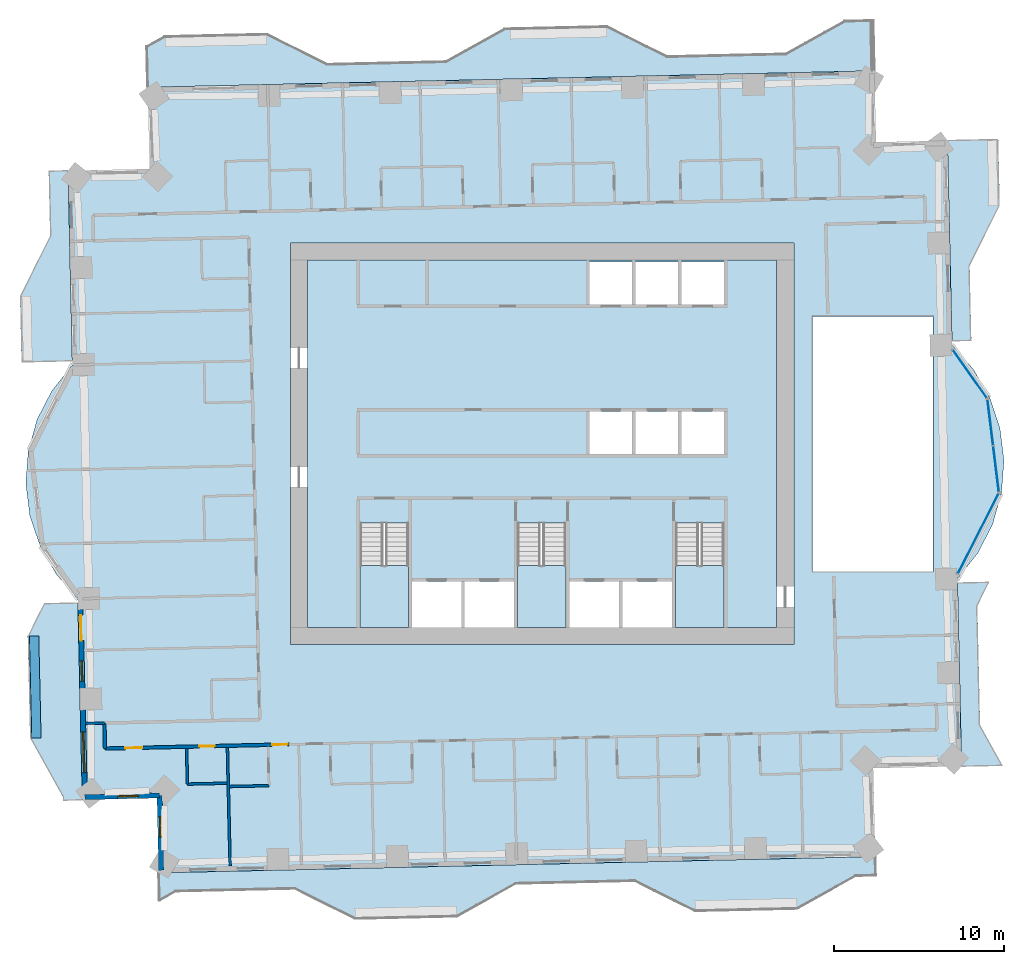
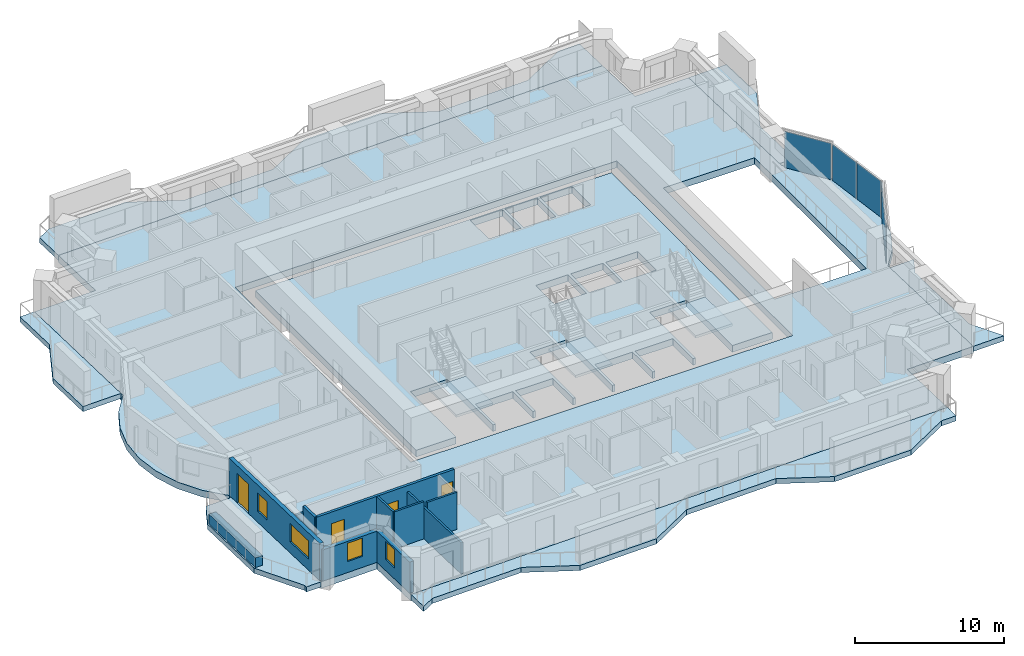
# One storey, part 5 of 16: 11 slabs, 11 walls, 4 doors, 4 plates, 4 windows, 8 openings, 6 elements without a shape of their own.
"""IFC4 building model written with IfcOpenShell, lengths in metres."""

import ifcopenshell
import ifcopenshell.guid

model = None  # the IFC model being written
_history = None  # IfcOwnerHistory: only IFC2X3 demands one
_inside = {}  # id of a spatial element -> (the spatial element, [elements in it])
_under = {}  # id of a project, library or spatial element -> (it, [spatial elements below it])
_declared = {}  # id of a project -> (the project, [libraries it declares])
_typed = {}  # id of a type object -> (the type object, [elements of that type])
_made_of = {}  # id of a material, layer set ... -> (it, [elements and type objects made of it])


def new_model(schema):
    """Start an empty IFC model of exactly this schema.

    Asked for "IFC4X3", IfcOpenShell would pick the latest addendum, in which some entities
    have other attributes; the version numbers below select the first issue.
    IFC2X3 requires an IfcOwnerHistory on every rooted entity: one is made here for all.
    """
    global model, _history
    if schema == "IFC4X3":
        model = ifcopenshell.file(schema_version=(4, 3, 0, 0))
    else:
        model = ifcopenshell.file(schema=schema)
    _inside.clear()
    _under.clear()
    _declared.clear()
    _typed.clear()
    _made_of.clear()
    _history = None
    if model.schema == "IFC2X3":
        org = make("IfcOrganization", Name="unknown")
        user = make(
            "IfcPersonAndOrganization",
            ThePerson=make("IfcPerson", FamilyName="unknown"),
            TheOrganization=org,
        )
        app = make(
            "IfcApplication",
            ApplicationDeveloper=org,
            Version="unknown",
            ApplicationFullName="unknown",
            ApplicationIdentifier="unknown",
        )
        _history = make(
            "IfcOwnerHistory",
            OwningUser=user,
            OwningApplication=app,
            ChangeAction="ADDED",
            CreationDate=0,
        )
    return model


def make(cls, **values):
    """One entity of the class cls with the attributes given. An attribute that is None is left unset."""
    return model.create_entity(
        cls, **{name: value for name, value in values.items() if value is not None}
    )


def rooted(cls, **values):
    """An entity with a GlobalId (a new one), such as an element, a storey or a relation."""
    return make(cls, GlobalId=ifcopenshell.guid.new(), OwnerHistory=_history, **values)


def si_unit(unit_type, name, prefix=None):
    """IfcSIUnit, for example si_unit("LENGTHUNIT", "METRE", prefix="MILLI")."""
    return make("IfcSIUnit", UnitType=unit_type, Prefix=prefix, Name=name)


def assignment(units):
    """IfcUnitAssignment: the units of a project."""
    return None if units is None else make("IfcUnitAssignment", Units=units)


def point(xyz):
    """IfcCartesianPoint."""
    return None if xyz is None else make("IfcCartesianPoint", Coordinates=xyz)


def direction(xyz):
    """IfcDirection."""
    return None if xyz is None else make("IfcDirection", DirectionRatios=xyz)


def frame(location, z_axis=None, x_axis=None):
    """IfcAxis2Placement3D, a coordinate frame: its origin and axes. An axis left out is left unset."""
    return make(
        "IfcAxis2Placement3D",
        Location=point(location),
        Axis=direction(z_axis),
        RefDirection=direction(x_axis),
    )


def frame_2d(location, x_axis=None):
    """IfcAxis2Placement2D, a coordinate frame in the plane: its origin and x axis."""
    return make(
        "IfcAxis2Placement2D", Location=point(location), RefDirection=direction(x_axis)
    )


def origin():
    """The frame at (0, 0, 0) with its axes left unset."""
    return frame((0.0, 0.0, 0.0))


def origin_2d():
    """The frame at (0, 0) in the plane with its x axis left unset."""
    return frame_2d((0.0, 0.0))


def place(relative_to, where):
    """IfcLocalPlacement: puts the frame where relative to a parent placement (None: the world)."""
    return make(
        "IfcLocalPlacement", PlacementRelTo=relative_to, RelativePlacement=where
    )


def context(
    kind, dimensions, precision=None, world=None, true_north=None, identifier=None
):
    """IfcGeometricRepresentationContext, for example the 3D "Model" context."""
    return make(
        "IfcGeometricRepresentationContext",
        ContextIdentifier=identifier,
        ContextType=kind,
        CoordinateSpaceDimension=dimensions,
        Precision=precision,
        WorldCoordinateSystem=world,
        TrueNorth=true_north,
    )


def subcontext(parent, identifier, kind, view, scale=None):
    """IfcGeometricRepresentationSubContext, for example "Body" below "Model"."""
    return make(
        "IfcGeometricRepresentationSubContext",
        ContextIdentifier=identifier,
        ContextType=kind,
        ParentContext=parent,
        TargetScale=scale,
        TargetView=view,
    )


def project(units=None, contexts=None):
    """IfcProject with its units and contexts."""
    return rooted(
        "IfcProject",
        Name="project",
        RepresentationContexts=contexts,
        UnitsInContext=assignment(units),
    )


def spatial(cls, under=None, at=None, **own):
    """A site, building, storey or space (cls), placed at a placement, below another one or the project."""
    s = rooted(cls, ObjectPlacement=at, **own)
    if under is not None:
        _under.setdefault(under.id(), (under, []))[1].append(s)
    return s


def polyline(points):
    """IfcPolyline through the points."""
    return make("IfcPolyline", Points=[point(p) for p in points])


def profile(cls, at=None, kind="AREA", **sizes):
    """A parametric profile (cls). Its sizes go by their IFC names, for example OverallWidth=200.0."""
    return make(cls, ProfileType=kind, Position=at, **sizes)


def rectangle(**sizes):
    """IfcRectangleProfileDef."""
    return profile("IfcRectangleProfileDef", **sizes)


def outline(outer, holes=None, kind="AREA"):
    """IfcArbitraryClosedProfileDef: a profile drawn as a closed curve; with holes, ...WithVoids."""
    if holes is None:
        return make("IfcArbitraryClosedProfileDef", ProfileType=kind, OuterCurve=outer)
    return make(
        "IfcArbitraryProfileDefWithVoids",
        ProfileType=kind,
        OuterCurve=outer,
        InnerCurves=holes,
    )


def extrude(swept, where, along, depth):
    """IfcExtrudedAreaSolid: the profile swept, set in the frame where, extruded along a direction by depth."""
    return make(
        "IfcExtrudedAreaSolid",
        SweptArea=swept,
        Position=where,
        ExtrudedDirection=direction(along),
        Depth=depth,
    )


def shape(context_of_items, identifier, shape_type, items):
    """IfcShapeRepresentation: the items that make up one representation, for example the "Body"."""
    return make(
        "IfcShapeRepresentation",
        ContextOfItems=context_of_items,
        RepresentationIdentifier=identifier,
        RepresentationType=shape_type,
        Items=items,
    )


def material(Name=None, Category=None):
    """IfcMaterial."""
    return make("IfcMaterial", Name=Name, Category=Category)


def layer(
    of_material, thickness, ventilated=None, Name=None, Category=None, Priority=None
):
    """IfcMaterialLayer: one layer of a wall or slab, of a material (None: an air gap)."""
    return make(
        "IfcMaterialLayer",
        Material=of_material,
        LayerThickness=thickness,
        IsVentilated=ventilated,
        Name=Name,
        Category=Category,
        Priority=Priority,
    )


def layer_set(layers, Name=None):
    """IfcMaterialLayerSet."""
    return make("IfcMaterialLayerSet", MaterialLayers=layers, LayerSetName=Name)


def made_of(thing, what):
    """Note that an element or type object is made of a material, layer set ...; save() writes the relation."""
    if what is not None:
        _made_of.setdefault(what.id(), (what, []))[1].append(thing)
    return thing


def type_object(cls, material=None, **own):
    """A type object (cls), such as IfcWallType, which elements share."""
    return made_of(rooted(cls, **own), material)


def element(
    cls,
    number,
    at=None,
    inside=None,
    cuts=None,
    type_object=None,
    material=None,
    context=None,
    identifier="Body",
    shape_type=None,
    held_by="IfcProductDefinitionShape",
    body=None,
    shapes=None,
    **own,
):
    """One element of the class cls, such as IfcWall. Its Tag is "e" and its number.

    at: its placement. inside: the storey or other place that contains it. cuts: it is an
    opening in that element (IfcRelVoidsElement). A single representation is given by context,
    identifier, shape_type and body (its items); several are given by shapes. held_by: the class
    of the entity that holds the representations. save() writes the other relations.
    """
    e = rooted(cls, Tag="e%d" % number, ObjectPlacement=at, **own)
    if body is not None:
        shapes = [shape(context, identifier, shape_type, body)]
    if shapes is not None:
        e.Representation = make(held_by, Representations=shapes)
    if inside is not None:
        _inside.setdefault(inside.id(), (inside, []))[1].append(e)
    if cuts is not None:
        rooted(
            "IfcRelVoidsElement", RelatingBuildingElement=cuts, RelatedOpeningElement=e
        )
    if type_object is not None:
        _typed.setdefault(type_object.id(), (type_object, []))[1].append(e)
    return made_of(e, material)


def fill(opening, filler):
    """IfcRelFillsElement: the door or window that sits in an opening."""
    return rooted(
        "IfcRelFillsElement",
        RelatingOpeningElement=opening,
        RelatedBuildingElement=filler,
    )


def aggregate(whole, parts):
    """IfcRelAggregates: a whole, such as a stair, and the parts it consists of."""
    return rooted("IfcRelAggregates", RelatingObject=whole, RelatedObjects=parts)


def save(model, path):
    """Write the relations noted so far, then the file.

    IfcRelAggregates (storeys below a building ...), IfcRelContainedInSpatialStructure (elements
    in a storey), IfcRelDefinesByType, IfcRelAssociatesMaterial and IfcRelDeclares: one each for
    every whole, place, type object, material and project.
    """
    for whole, parts in _under.values():
        aggregate(whole, parts)
    for where, things in _inside.values():
        rooted(
            "IfcRelContainedInSpatialStructure",
            RelatedElements=things,
            RelatingStructure=where,
        )
    for kind, things in _typed.values():
        rooted("IfcRelDefinesByType", RelatedObjects=things, RelatingType=kind)
    for what, things in _made_of.values():
        rooted("IfcRelAssociatesMaterial", RelatedObjects=things, RelatingMaterial=what)
    for by, libraries in _declared.values():
        rooted("IfcRelDeclares", RelatingContext=by, RelatedDefinitions=libraries)
    model.write(path)


model = new_model("IFC4")

# Units and contexts
model_context = context("Model", 3, precision=1e-05, world=origin(), true_north=direction((0.0, 1.0)))
body_context = subcontext(model_context, "Body", "Model", "MODEL_VIEW")
ifc_project = project(units=[si_unit("LENGTHUNIT", "METRE"), si_unit("AREAUNIT", "SQUARE_METRE"), si_unit("VOLUMEUNIT", "CUBIC_METRE"), si_unit("PLANEANGLEUNIT", "RADIAN"), si_unit("MASSUNIT", "GRAM", prefix="KILO")], contexts=[model_context])

# Site, building, storey
site_placement = place(None, origin())
site = spatial("IfcSite", under=ifc_project, at=site_placement, CompositionType="ELEMENT")
building_placement = place(site_placement, origin())
building = spatial("IfcBuilding", under=site, at=building_placement, Name="Mangrove Gate Tower", CompositionType="ELEMENT")
storey_placement = place(building_placement, frame((0.0, 0.0, 137.300048828125)))
storey = spatial("IfcBuildingStorey", under=building, at=storey_placement, Name="L34", CompositionType="ELEMENT", Elevation=137.300048828125)

# Curtain wall, plate
ifc_material_1 = material(Name="Aluminium and glass curtain wall", Category="aluminium")
curtain_wall_type = type_object("IfcCurtainWallType", Name="Atrium garden-court glazing wall", PredefinedType="NOTDEFINED", material=ifc_material_1)
curtain_wall_1_placement = place(storey_placement, origin())
curtain_wall_1 = element("IfcCurtainWall", 1, at=curtain_wall_1_placement, inside=storey, type_object=curtain_wall_type, Name="Atrium garden-court glazing E1f1", PredefinedType="NOTDEFINED")
ifc_material_2 = material(Name="Laminated low-e glass", Category="glass")
ifc_layer_1 = layer(ifc_material_2, 0.031982421875)
ifc_layer_set_1 = layer_set([ifc_layer_1], Name="Atrium garden-court glazing panel 32")
plate_type = type_object("IfcPlateType", Name="Atrium garden-court glazing panel 32", PredefinedType="CURTAIN_PANEL", material=ifc_layer_set_1)
plate_1_placement = place(storey_placement, frame((25.647216796875, -5.28466796875, 0.0), z_axis=(0.0, 0.0, 1.0), x_axis=(0.452614630938, 0.891706227331, 0.0)))
plate_1 = element("IfcPlate", 2, at=plate_1_placement, type_object=plate_type, Name="CWA panel 1.1", PredefinedType="CURTAIN_PANEL", context=body_context, shape_type="SweptSolid", body=[
    extrude(rectangle(XDim=5.258544921875, YDim=0.031982421875, at=origin_2d()), origin(), (0.0, 0.0, 1.0), 2.97998046875),
])
aggregate(curtain_wall_1, [plate_1])

# Curtain wall, plates
curtain_wall_2_placement = place(storey_placement, origin())
curtain_wall_2 = element("IfcCurtainWall", 3, at=curtain_wall_2_placement, inside=storey, type_object=curtain_wall_type, Name="Atrium garden-court glazing E1f2", PredefinedType="NOTDEFINED")
plate_2_placement = place(storey_placement, frame((26.696533203125, -1.4775390625, 0.0), z_axis=(0.0, 0.0, 1.0), x_axis=(-0.122172285885, 0.992508908051, 0.0)))
plate_2 = element("IfcPlate", 4, at=plate_2_placement, type_object=plate_type, Name="CWA panel 1.1", PredefinedType="CURTAIN_PANEL", context=body_context, shape_type="SweptSolid", body=[
    extrude(rectangle(XDim=2.681640625, YDim=0.031982421875, at=origin_2d()), origin(), (0.0, 0.0, 1.0), 2.97998046875),
])
plate_3_placement = place(storey_placement, frame((26.3603515625, 1.253662109375, 0.0), z_axis=(0.0, 0.0, 1.0), x_axis=(-0.122172285885, 0.992508908051, 0.0)))
plate_3 = element("IfcPlate", 5, at=plate_3_placement, type_object=plate_type, Name="CWA panel 2.1", PredefinedType="CURTAIN_PANEL", context=body_context, shape_type="SweptSolid", body=[
    extrude(rectangle(XDim=2.681640625, YDim=0.031982421875, at=origin_2d()), origin(), (0.0, 0.0, 1.0), 2.97998046875),
])
aggregate(curtain_wall_2, [plate_2, plate_3])

# Curtain wall, plate
curtain_wall_3_placement = place(storey_placement, origin())
curtain_wall_3 = element("IfcCurtainWall", 6, at=curtain_wall_3_placement, inside=storey, type_object=curtain_wall_type, Name="Atrium garden-court glazing E1f3", PredefinedType="NOTDEFINED")
plate_4_placement = place(storey_placement, frame((25.15625, 4.10986328125, 0.0), z_axis=(0.0, 0.0, 1.0), x_axis=(-0.578132252952, 0.815943072828, 0.0)))
plate_4 = element("IfcPlate", 7, at=plate_4_placement, type_object=plate_type, Name="CWA panel 1.1", PredefinedType="CURTAIN_PANEL", context=body_context, shape_type="SweptSolid", body=[
    extrude(rectangle(XDim=3.428955078125, YDim=0.031982421875, at=origin_2d()), origin(), (0.0, 0.0, 1.0), 2.97998046875),
])
aggregate(curtain_wall_3, [plate_4])

# Slabs
ifc_material_3 = material(Name="Porcelain tile")
ifc_layer_2 = layer(ifc_material_3, 0.02001953125, Name="Tile finish")
ifc_material_4 = material(Name="Cement sand screed")
ifc_layer_3 = layer(ifc_material_4, 0.0400390625, Name="Screed laid to falls")
ifc_material_5 = material(Name="Bituminous waterproofing membrane")
ifc_layer_4 = layer(ifc_material_5, 0.00390625, Name="Waterproofing")
ifc_material_6 = material(Name="Concrete C40/50", Category="concrete")
ifc_layer_5 = layer(ifc_material_6, 0.340087890625, Name="Balcony structural slab")
ifc_material_7 = material(Name="Limestone", Category="masonry")
ifc_layer_6 = layer(ifc_material_7, 0.01611328125, Name="Soffit lining")
ifc_layer_set_2 = layer_set([ifc_layer_2, ifc_layer_3, ifc_layer_4, ifc_layer_5, ifc_layer_6], Name="Balcony slab 420 C40/50")
slab_type_1 = type_object("IfcSlabType", Name="Balcony slab 420 C40/50", PredefinedType="FLOOR", material=ifc_layer_set_2)
slab_1_placement = place(storey_placement, frame((0.0, 0.0, -0.420166015625)))
element("IfcSlab", 8, at=slab_1_placement, inside=storey, type_object=slab_type_1, Name="BALCONY L34 E0", PredefinedType="FLOOR", context=body_context, shape_type="SweptSolid", body=[
    extrude(outline(polyline([(27.0791015625, -18.904052734375), (25.757080078125, -16.532958984375), (25.597900390625, -9.534912109375), (26.29296875, -8.14404296875), (24.427001953125, -8.18701171875), (24.4580078125, -9.56103515625), (24.616943359375, -16.55908203125), (24.6708984375, -18.9580078125), (27.0791015625, -18.904052734375)])), origin(), (0.0, 0.0, 1.0), 0.420166015625),
])
slab_2_placement = place(storey_placement, frame((0.0, 0.0, -0.420166015625)))
element("IfcSlab", 9, at=slab_2_placement, inside=storey, type_object=slab_type_1, Name="BALCONY L34 E1", PredefinedType="FLOOR", context=body_context, shape_type="SweptSolid", body=[
    extrude(outline(polyline([(25.242919921875, 6.0859375), (25.14404296875, 10.4599609375), (26.9140625, 14.0009765625), (26.825927734375, 17.89990234375), (23.8369140625, 17.83203125), (23.925048828125, 13.93310546875), (24.00390625, 10.43408203125), (24.10400390625, 6.06005859375), (25.242919921875, 6.0859375)])), origin(), (0.0, 0.0, 1.0), 0.420166015625),
])
slab_3_placement = place(storey_placement, frame((0.0, 0.0, -0.420166015625)))
element("IfcSlab", 10, at=slab_3_placement, inside=storey, type_object=slab_type_1, Name="BALCONY L34 N0", PredefinedType="FLOOR", context=body_context, shape_type="SweptSolid", body=[
    extrude(outline(polyline([(19.47509765625, 24.925048828125), (17.802978515625, 24.886962890625), (14.345947265625, 22.9580078125), (7.347900390625, 22.799072265625), (3.806884765625, 24.569091796875), (-2.19189453125, 24.43310546875), (-5.64892578125, 22.50390625), (-12.64697265625, 22.346923828125), (-16.18798828125, 24.115966796875), (-22.18701171875, 23.97998046875), (-23.24609375, 23.388916015625), (-23.19091796875, 20.966064453125), (19.5419921875, 21.93603515625), (19.47509765625, 24.925048828125)])), origin(), (0.0, 0.0, 1.0), 0.420166015625),
])
slab_4_placement = place(storey_placement, frame((0.0, 0.0, -0.420166015625)))
element("IfcSlab", 11, at=slab_4_placement, inside=storey, type_object=slab_type_1, Name="BALCONY L34 W0", PredefinedType="FLOOR", context=body_context, shape_type="SweptSolid", body=[
    extrude(outline(polyline([(-29.02001953125, 16.031982421875), (-28.93408203125, 12.23291015625), (-30.7041015625, 8.69189453125), (-30.615966796875, 4.819091796875), (-27.626953125, 4.886962890625), (-27.715087890625, 8.760009765625), (-27.7939453125, 12.259033203125), (-27.881103515625, 16.05810546875), (-29.02001953125, 16.031982421875)])), origin(), (0.0, 0.0, 1.0), 0.420166015625),
])
slab_5_placement = place(storey_placement, frame((0.0, 0.0, -0.420166015625)))
element("IfcSlab", 12, at=slab_5_placement, inside=storey, type_object=slab_type_1, Name="BALCONY L34 W1", PredefinedType="FLOOR", context=body_context, shape_type="SweptSolid", body=[
    extrude(outline(polyline([(-29.302001953125, -9.406005859375), (-30.25, -11.302001953125), (-30.114013671875, -17.301025390625), (-28.18505859375, -20.758056640625), (-28.180908203125, -20.9580078125), (-27.041015625, -20.931884765625), (-27.0458984375, -20.73193359375), (-27.125, -17.23291015625), (-27.260986328125, -11.235107421875), (-27.303955078125, -9.360107421875), (-29.302001953125, -9.406005859375)])), origin(), (0.0, 0.0, 1.0), 0.420166015625),
])
slab_6_placement = place(storey_placement, frame((0.0, 0.0, -0.420166015625)))
element("IfcSlab", 13, at=slab_6_placement, inside=storey, type_object=slab_type_1, Name="BALCONY L34 S0", PredefinedType="FLOOR", context=body_context, shape_type="SweptSolid", body=[
    extrude(outline(polyline([(-22.5048828125, -26.885009765625), (-21.544921875, -26.34912109375), (-14.547119140625, -26.18994140625), (-11.006103515625, -27.9599609375), (-5.007080078125, -27.823974609375), (-1.550048828125, -25.89501953125), (5.447998046875, -25.737060546875), (8.989013671875, -27.506103515625), (14.988037109375, -27.3701171875), (18.445068359375, -25.44091796875), (19.616943359375, -25.4150390625), (19.591064453125, -24.27490234375), (-22.5419921875, -25.23095703125), (-22.5048828125, -26.885009765625)])), origin(), (0.0, 0.0, 1.0), 0.420166015625),
])
ifc_material_8 = material(Name="Concrete C40/50", Category="concrete")
ifc_layer_7 = layer(ifc_material_8, 0.550048828125)
ifc_layer_set_3 = layer_set([ifc_layer_7], Name="Core floor slab 550 C40/50")
slab_type_2 = type_object("IfcSlabType", Name="Core floor slab 550 C40/50", PredefinedType="FLOOR", material=ifc_layer_set_3)
slab_7_placement = place(storey_placement, frame((0.0, 0.0, -0.550048828125)))
element("IfcSlab", 14, at=slab_7_placement, inside=storey, type_object=slab_type_2, Name="SLAB-L34-CORE-1", PredefinedType="FLOOR", context=body_context, shape_type="SweptSolid", body=[
    extrude(outline(polyline([(-13.800048828125, -10.800048828125), (-13.800048828125, 10.800048828125), (13.800048828125, 10.800048828125), (13.800048828125, -10.800048828125), (10.699951171875, -10.800048828125), (10.699951171875, -4.653076171875), (7.85009765625, -4.653076171875), (7.85009765625, -10.800048828125), (7.64990234375, -10.800048828125), (7.64990234375, -8.10009765625), (4.72509765625, -8.10009765625), (4.72509765625, -10.800048828125), (4.52490234375, -10.800048828125), (4.52490234375, -8.10009765625), (1.60009765625, -8.10009765625), (1.60009765625, -10.800048828125), (1.39990234375, -10.800048828125), (1.39990234375, -4.653076171875), (-1.449951171875, -4.653076171875), (-1.449951171875, -10.800048828125), (-1.64990234375, -10.800048828125), (-1.64990234375, -8.10009765625), (-4.550048828125, -8.10009765625), (-4.550048828125, -10.800048828125), (-4.75, -10.800048828125), (-4.75, -8.10009765625), (-7.64990234375, -8.10009765625), (-7.64990234375, -10.800048828125), (-7.85009765625, -10.800048828125), (-7.85009765625, -4.653076171875), (-10.699951171875, -4.653076171875), (-10.699951171875, -10.800048828125), (-13.800048828125, -10.800048828125)]), holes=[polyline([(5.300048828125, -0.60009765625), (5.300048828125, 1.89990234375), (2.800048828125, 1.89990234375), (2.800048828125, -0.60009765625), (5.300048828125, -0.60009765625)]), polyline([(5.300048828125, 10.699951171875), (2.800048828125, 10.699951171875), (2.800048828125, 8.199951171875), (5.300048828125, 8.199951171875), (5.300048828125, 10.699951171875)]), polyline([(8.0, -0.60009765625), (8.0, 1.89990234375), (5.5, 1.89990234375), (5.5, -0.60009765625), (8.0, -0.60009765625)]), polyline([(10.699951171875, -0.60009765625), (10.699951171875, 1.89990234375), (8.199951171875, 1.89990234375), (8.199951171875, -0.60009765625), (10.699951171875, -0.60009765625)]), polyline([(8.0, 8.199951171875), (8.0, 10.699951171875), (5.5, 10.699951171875), (5.5, 8.199951171875), (8.0, 8.199951171875)]), polyline([(10.699951171875, 8.199951171875), (10.699951171875, 10.699951171875), (8.199951171875, 10.699951171875), (8.199951171875, 8.199951171875), (10.699951171875, 8.199951171875)])]), origin(), (0.0, 0.0, 1.0), 0.550048828125),
])

# Stair, slab
ifc_material_9 = material(Name="Concrete C40/50", Category="concrete")
stair_type = type_object("IfcStairType", Name="Core stair 1350", PredefinedType="HALF_TURN_STAIR", material=ifc_material_9)
stair_1_placement = place(storey_placement, origin())
stair_1 = element("IfcStair", 15, at=stair_1_placement, inside=storey, type_object=stair_type, Name="L34 Stair 1", PredefinedType="HALF_TURN_STAIR")
ifc_material_10 = material(Name="Concrete C40/50", Category="concrete")
ifc_layer_8 = layer(ifc_material_10, 0.199951171875)
ifc_layer_set_4 = layer_set([ifc_layer_8], Name="Core stair landing 200")
slab_type_3 = type_object("IfcSlabType", Name="Core stair landing 200", PredefinedType="LANDING", material=ifc_layer_set_4)
slab_8_placement = place(storey_placement, frame((0.0, 0.0, 1.599853515625)))
slab_8 = element("IfcSlab", 16, at=slab_8_placement, type_object=slab_type_3, Name="ST1 landing 1", PredefinedType="LANDING", context=body_context, shape_type="SweptSolid", body=[
    extrude(outline(polyline([(-10.699951171875, -7.169921875), (-10.699951171875, -10.800048828125), (-7.85009765625, -10.800048828125), (-7.85009765625, -7.169921875), (-10.699951171875, -7.169921875)])), origin(), (0.0, 0.0, 1.0), 0.2001953125),
])
aggregate(stair_1, [slab_8])

stair_2_placement = place(storey_placement, origin())
stair_2 = element("IfcStair", 17, at=stair_2_placement, inside=storey, type_object=stair_type, Name="L34 Stair 2", PredefinedType="HALF_TURN_STAIR")
slab_9_placement = place(storey_placement, frame((0.0, 0.0, 1.599853515625)))
slab_9 = element("IfcSlab", 18, at=slab_9_placement, type_object=slab_type_3, Name="ST2 landing 1", PredefinedType="LANDING", context=body_context, shape_type="SweptSolid", body=[
    extrude(outline(polyline([(-1.449951171875, -7.169921875), (-1.449951171875, -10.800048828125), (1.39990234375, -10.800048828125), (1.39990234375, -7.169921875), (-1.449951171875, -7.169921875)])), origin(), (0.0, 0.0, 1.0), 0.2001953125),
])
aggregate(stair_2, [slab_9])

stair_3_placement = place(storey_placement, origin())
stair_3 = element("IfcStair", 19, at=stair_3_placement, inside=storey, type_object=stair_type, Name="L34 Stair 3", PredefinedType="HALF_TURN_STAIR")
slab_10_placement = place(storey_placement, frame((0.0, 0.0, 1.599853515625)))
slab_10 = element("IfcSlab", 20, at=slab_10_placement, type_object=slab_type_3, Name="ST3 landing 1", PredefinedType="LANDING", context=body_context, shape_type="SweptSolid", body=[
    extrude(outline(polyline([(7.85009765625, -7.169921875), (7.85009765625, -10.800048828125), (10.699951171875, -10.800048828125), (10.699951171875, -7.169921875), (7.85009765625, -7.169921875)])), origin(), (0.0, 0.0, 1.0), 0.2001953125),
])
aggregate(stair_3, [slab_10])

# Slab
ifc_material_11 = material(Name="Concrete C40/50", Category="concrete")
ifc_layer_9 = layer(ifc_material_11, 0.550048828125)
ifc_layer_set_5 = layer_set([ifc_layer_9], Name="Floor slab 550 C40/50")
slab_type_4 = type_object("IfcSlabType", Name="Floor slab 550 C40/50", PredefinedType="FLOOR", material=ifc_layer_set_5)
slab_11_placement = place(storey_placement, frame((0.0, 0.0, -0.550048828125)))
element("IfcSlab", 21, at=slab_11_placement, inside=storey, type_object=slab_type_4, Name="Floor slab L34", PredefinedType="FLOOR", context=body_context, shape_type="SweptSolid", body=[
    extrude(outline(polyline([(-22.54248046875, -25.231201171875), (19.5908203125, -24.275146484375), (19.472900390625, -19.076416015625), (24.67138671875, -18.95849609375), (24.42138671875, -7.9365234375), (25.617919921875, -6.4443359375), (26.494873046875, -4.744384765625), (27.017333984375, -2.904296875), (27.16455078125, -0.997314453125), (26.930908203125, 0.901123046875), (26.325439453125, 2.715576171875), (25.372314453125, 4.3740234375), (24.109375, 5.810546875), (23.836669921875, 17.83203125), (19.6376953125, 17.73681640625), (19.542236328125, 21.935791015625), (-23.190673828125, 20.966064453125), (-23.081787109375, 16.167236328125), (-27.880615234375, 16.058349609375), (-27.621337890625, 4.636474609375), (-28.81787109375, 3.144287109375), (-29.69482421875, 1.4443359375), (-30.21728515625, -0.395751953125), (-30.364501953125, -2.302734375), (-30.130859375, -4.201171875), (-29.525390625, -6.015625), (-28.572265625, -7.674072265625), (-27.309326171875, -9.110595703125), (-27.041015625, -20.93212890625), (-22.642333984375, -20.832275390625), (-22.54248046875, -25.231201171875)]), holes=[polyline([(15.89990234375, 7.5), (22.9951171875, 7.5), (22.9951171875, -7.5), (15.89990234375, -7.5), (15.89990234375, 7.5)]), polyline([(-14.800048828125, -11.800048828125), (-14.800048828125, 11.800048828125), (14.800048828125, 11.800048828125), (14.800048828125, -11.800048828125), (-14.800048828125, -11.800048828125)])]), origin(), (0.0, 0.0, 1.0), 0.550048828125),
])

# Wall
ifc_material_12 = material(Name="Gypsum board on steel stud, EI 60", Category="steel")
ifc_layer_10 = layer(ifc_material_12, 0.199951171875)
ifc_layer_set_6 = layer_set([ifc_layer_10], Name="Corridor wall EI 60")
wall_type_1 = type_object("IfcWallType", Name="Corridor wall EI 60", PredefinedType="PARTITIONING", material=ifc_layer_set_6)
wall_1_placement = place(storey_placement, frame((-25.70703125, -17.925048828125, 0.0), z_axis=(0.0, 0.0, 1.0), x_axis=(-0.022617910375, 0.999744182344, 0.0)))
element("IfcWall", 22, at=wall_1_placement, inside=storey, type_object=wall_type_1, Name="WALL-L34-027", PredefinedType="PARTITIONING", context=body_context, shape_type="SweptSolid", body=[
    extrude(rectangle(XDim=1.50048828125, YDim=0.199951171875, at=frame_2d((0.750244140625, 0.0))), origin(), (0.0, 0.0, 1.0), 3.050048828125),
])

# Wall, openings, doors
wall_2_placement = place(storey_placement, frame((-25.708984375, -17.9208984375, 0.0), z_axis=(0.0, 0.0, 1.0), x_axis=(0.999742764922, 0.022680475901, 0.0)))
wall_2 = element("IfcWall", 23, at=wall_2_placement, inside=storey, type_object=wall_type_1, Name="WALL-L34-029", PredefinedType="PARTITIONING", context=body_context, shape_type="SweptSolid", body=[
    extrude(rectangle(XDim=10.839599609375, YDim=0.199951171875, at=frame_2d((5.419921875, 0.0))), origin(), (0.0, 0.0, 1.0), 3.050048828125),
])
opening_1_placement = place(wall_2_placement, frame((1.199951171875, 0.0, 0.0)))
opening_1 = element("IfcOpeningElement", 24, at=opening_1_placement, cuts=wall_2, Name="Opening AD", PredefinedType="OPENING", context=body_context, shape_type="SweptSolid", body=[
    extrude(rectangle(XDim=1.0, YDim=2.10009765625, at=frame_2d((0.5, 1.050048828125))), frame((0.0, 0.10986328125, 0.0), z_axis=(0.0, -1.0, 0.0), x_axis=(1.0, 0.0, 0.0)), (0.0, 0.0, 1.0), 0.219970703125),
])
opening_2_placement = place(wall_2_placement, frame((5.550048828125, 0.0, 0.0)))
opening_2 = element("IfcOpeningElement", 25, at=opening_2_placement, cuts=wall_2, Name="Opening SD", PredefinedType="OPENING", context=body_context, shape_type="SweptSolid", body=[
    extrude(rectangle(XDim=0.89990234375, YDim=2.10009765625, at=frame_2d((0.449951171875, 1.050048828125))), frame((0.0, 0.10986328125, 0.0), z_axis=(0.0, -1.0, 0.0), x_axis=(1.0, 0.0, 0.0)), (0.0, 0.0, 1.0), 0.219970703125),
])
opening_3_placement = place(wall_2_placement, frame((9.840087890625, 0.0, 0.0)))
opening_3 = element("IfcOpeningElement", 26, at=opening_3_placement, cuts=wall_2, Name="Opening BD", PredefinedType="OPENING", context=body_context, shape_type="SweptSolid", body=[
    extrude(rectangle(XDim=0.89990234375, YDim=2.10009765625, at=frame_2d((0.449951171875, 1.050048828125))), frame((0.0, 0.10986328125, 0.0), z_axis=(0.0, -1.0, 0.0), x_axis=(1.0, 0.0, 0.0)), (0.0, 0.0, 1.0), 0.219970703125),
])
ifc_material_13 = material(Name="Timber door leaf", Category="wood")
door_type_1 = type_object("IfcDoorType", Name="Amenity door 1000", OperationType="SINGLE_SWING_LEFT", PredefinedType="DOOR", material=ifc_material_13)
door_1_placement = place(opening_1_placement, origin())
door_1 = element("IfcDoor", 27, at=door_1_placement, inside=storey, type_object=door_type_1, Name="DOOR-L34-STU-c1a", OperationType="SINGLE_SWING_LEFT", OverallHeight=2.10009765625, OverallWidth=1.0, PredefinedType="DOOR", context=body_context, shape_type="SweptSolid", body=[
    extrude(rectangle(XDim=1.0, YDim=2.10009765625, at=frame_2d((0.5, 1.050048828125))), frame((0.0, 0.02490234375, 0.0), z_axis=(0.0, -1.0, 0.0), x_axis=(1.0, 0.0, 0.0)), (0.0, 0.0, 1.0), 0.050048828125),
])
fill(opening_1, door_1)
ifc_material_14 = material(Name="Timber door leaf", Category="wood")
door_type_2 = type_object("IfcDoorType", Name="Bedroom door 900", OperationType="SINGLE_SWING_LEFT", PredefinedType="DOOR", material=ifc_material_14)
door_2_placement = place(opening_3_placement, origin())
door_2 = element("IfcDoor", 28, at=door_2_placement, inside=storey, type_object=door_type_2, Name="DOOR-L34-BED-c101", OperationType="SINGLE_SWING_LEFT", OverallHeight=2.10009765625, OverallWidth=0.89990234375, PredefinedType="DOOR", context=body_context, shape_type="SweptSolid", body=[
    extrude(rectangle(XDim=0.89990234375, YDim=2.10009765625, at=frame_2d((0.449951171875, 1.050048828125))), frame((0.0, 0.02490234375, 0.0), z_axis=(0.0, -1.0, 0.0), x_axis=(1.0, 0.0, 0.0)), (0.0, 0.0, 1.0), 0.050048828125),
])
fill(opening_3, door_2)
ifc_material_15 = material(Name="Timber door leaf", Category="wood")
door_type_3 = type_object("IfcDoorType", Name="Service room door 900", OperationType="SINGLE_SWING_LEFT", PredefinedType="DOOR", material=ifc_material_15)
door_3_placement = place(opening_2_placement, origin())
door_3 = element("IfcDoor", 29, at=door_3_placement, inside=storey, type_object=door_type_3, Name="DOOR-L34-LIN-c1a", OperationType="SINGLE_SWING_LEFT", OverallHeight=2.10009765625, OverallWidth=0.89990234375, PredefinedType="DOOR", context=body_context, shape_type="SweptSolid", body=[
    extrude(rectangle(XDim=0.89990234375, YDim=2.10009765625, at=frame_2d((0.449951171875, 1.050048828125))), frame((0.0, 0.02490234375, 0.0), z_axis=(0.0, -1.0, 0.0), x_axis=(1.0, 0.0, 0.0)), (0.0, 0.0, 1.0), 0.050048828125),
])
fill(opening_2, door_3)

# Wall, openings, door, windows
ifc_layer_11 = layer(ifc_material_7, 0.0400390625, Name="Limestone cladding")
ifc_material_16 = material(Name="Ventilated air gap")
ifc_layer_12 = layer(ifc_material_16, 0.0400390625, Name="Ventilated cavity")
ifc_material_17 = material(Name="Mineral wool insulation")
ifc_layer_13 = layer(ifc_material_17, 0.06005859375, Name="Insulation")
ifc_material_18 = material(Name="Breather membrane")
ifc_layer_14 = layer(ifc_material_18, 0.001953125, Name="Breather membrane")
ifc_material_19 = material(Name="Concrete C20/25 blockwork", Category="masonry")
ifc_layer_15 = layer(ifc_material_19, 0.14990234375, Name="Blockwork backing wall")
ifc_material_20 = material(Name="Gypsum plaster")
ifc_layer_16 = layer(ifc_material_20, 0.008056640625, Name="Internal plaster")
ifc_layer_set_7 = layer_set([ifc_layer_11, ifc_layer_12, ifc_layer_13, ifc_layer_14, ifc_layer_15, ifc_layer_16], Name="External wall 300 limestone cladding")
wall_type_2 = type_object("IfcWallType", Name="External wall 300 limestone cladding", PredefinedType="SOLIDWALL", material=ifc_layer_set_7)
wall_3_placement = place(storey_placement, frame((-27.160888671875, -9.052001953125, 0.0), z_axis=(0.0, 0.0, 1.0), x_axis=(0.022665616813, -0.999743101909, 0.0)))
wall_3 = element("IfcWall", 30, at=wall_3_placement, inside=storey, type_object=wall_type_2, Name="WALL-L34-W10", PredefinedType="SOLIDWALL", context=body_context, shape_type="SweptSolid", body=[
    extrude(rectangle(XDim=11.72998046875, YDim=0.300048828125, at=frame_2d((5.864990234375, 0.0))), origin(), (0.0, 0.0, 1.0), 3.050048828125),
])
opening_4_placement = place(wall_3_placement, frame((1.029052734375, 0.0, 0.0)))
opening_4 = element("IfcOpeningElement", 31, at=opening_4_placement, cuts=wall_3, Name="Opening BD1", PredefinedType="OPENING", context=body_context, shape_type="SweptSolid", body=[
    extrude(rectangle(XDim=1.5, YDim=2.39990234375, at=frame_2d((0.75, 1.199951171875))), frame((0.0, 0.159912109375, 0.0), z_axis=(0.0, -1.0, 0.0), x_axis=(1.0, 0.0, 0.0)), (0.0, 0.0, 1.0), 0.320068359375),
])
opening_5_placement = place(wall_3_placement, frame((3.7099609375, 0.0, 0.89990234375)))
opening_5 = element("IfcOpeningElement", 32, at=opening_5_placement, cuts=wall_3, Name="Opening W1", PredefinedType="OPENING", context=body_context, shape_type="SweptSolid", body=[
    extrude(rectangle(XDim=1.199951171875, YDim=1.5, at=frame_2d((0.60009765625, 0.75))), frame((0.0, 0.159912109375, 0.0), z_axis=(0.0, -1.0, 0.0), x_axis=(1.0, 0.0, 0.0)), (0.0, 0.0, 1.0), 0.320068359375),
])
opening_6_placement = place(wall_3_placement, frame((7.89208984375, 0.0, 0.89990234375)))
opening_6 = element("IfcOpeningElement", 33, at=opening_6_placement, cuts=wall_3, Name="Opening W2", PredefinedType="OPENING", context=body_context, shape_type="SweptSolid", body=[
    extrude(rectangle(XDim=2.39990234375, YDim=1.5, at=frame_2d((1.199951171875, 0.75))), frame((0.0, 0.159912109375, 0.0), z_axis=(0.0, -1.0, 0.0), x_axis=(1.0, 0.0, 0.0)), (0.0, 0.0, 1.0), 0.320068359375),
])
ifc_material_21 = material(Name="Aluminium frame with laminated clear glass", Category="aluminium")
door_type_4 = type_object("IfcDoorType", Name="Balcony sliding door 1500x2400", OperationType="SLIDING_TO_LEFT", PredefinedType="DOOR", material=ifc_material_21)
door_4_placement = place(opening_4_placement, origin())
door_4 = element("IfcDoor", 34, at=door_4_placement, inside=storey, type_object=door_type_4, Name="DOOR-L34-W10-1", OperationType="SLIDING_TO_LEFT", OverallHeight=2.39990234375, OverallWidth=1.5, PredefinedType="DOOR", context=body_context, shape_type="SweptSolid", body=[
    extrude(rectangle(XDim=1.5, YDim=2.39990234375, at=frame_2d((0.75, 1.199951171875))), frame((0.0, 0.02490234375, 0.0), z_axis=(0.0, -1.0, 0.0), x_axis=(1.0, 0.0, 0.0)), (0.0, 0.0, 1.0), 0.050048828125),
])
fill(opening_4, door_4)
ifc_material_22 = material(Name="Aluminium frame with double-glazed low-e glass", Category="aluminium")
window_type_1 = type_object("IfcWindowType", Name="Corner room window 2400x1500", PartitioningType="DOUBLE_PANEL_VERTICAL", PredefinedType="WINDOW", material=ifc_material_22)
window_1_placement = place(opening_6_placement, origin())
window_1 = element("IfcWindow", 35, at=window_1_placement, inside=storey, type_object=window_type_1, Name="WIN-L34-W10-3", OverallHeight=1.5, OverallWidth=2.39990234375, PartitioningType="DOUBLE_PANEL_VERTICAL", PredefinedType="WINDOW", context=body_context, shape_type="SweptSolid", body=[
    extrude(rectangle(XDim=2.39990234375, YDim=1.5, at=frame_2d((1.199951171875, 0.75))), frame((0.0, 0.030029296875, 0.0), z_axis=(0.0, -1.0, 0.0), x_axis=(1.0, 0.0, 0.0)), (0.0, 0.0, 1.0), 0.06005859375),
])
fill(opening_6, window_1)
ifc_material_23 = material(Name="Aluminium frame with double-glazed low-e glass", Category="aluminium")
window_type_2 = type_object("IfcWindowType", Name="Side lite 1200x1500", PartitioningType="SINGLE_PANEL", PredefinedType="WINDOW", material=ifc_material_23)
window_2_placement = place(opening_5_placement, origin())
window_2 = element("IfcWindow", 36, at=window_2_placement, inside=storey, type_object=window_type_2, Name="WIN-L34-W10-2", OverallHeight=1.5, OverallWidth=1.199951171875, PartitioningType="SINGLE_PANEL", PredefinedType="WINDOW", context=body_context, shape_type="SweptSolid", body=[
    extrude(rectangle(XDim=1.199951171875, YDim=1.5, at=frame_2d((0.60009765625, 0.75))), frame((0.0, 0.030029296875, 0.0), z_axis=(0.0, -1.0, 0.0), x_axis=(1.0, 0.0, 0.0)), (0.0, 0.0, 1.0), 0.06005859375),
])
fill(opening_5, window_2)

# Wall, opening, window
wall_4_placement = place(storey_placement, frame((-26.89501953125, -20.779052734375, 0.0), z_axis=(0.0, 0.0, 1.0), x_axis=(0.999741204967, 0.022749133868, 0.0)))
wall_4 = element("IfcWall", 37, at=wall_4_placement, inside=storey, type_object=wall_type_2, Name="WALL-L34-S11", PredefinedType="SOLIDWALL", context=body_context, shape_type="SweptSolid", body=[
    extrude(rectangle(XDim=4.400146484375, YDim=0.300048828125, at=frame_2d((2.2001953125, 0.0))), origin(), (0.0, 0.0, 1.0), 2.550048828125),
])
opening_7_placement = place(wall_4_placement, frame((1.93603515625, 0.0, 0.89990234375)))
opening_7 = element("IfcOpeningElement", 38, at=opening_7_placement, cuts=wall_4, Name="Opening W1", PredefinedType="OPENING", context=body_context, shape_type="SweptSolid", body=[
    extrude(rectangle(XDim=1.199951171875, YDim=1.5, at=frame_2d((0.60009765625, 0.75))), frame((0.0, 0.159912109375, 0.0), z_axis=(0.0, -1.0, 0.0), x_axis=(1.0, 0.0, 0.0)), (0.0, 0.0, 1.0), 0.320068359375),
])
window_3_placement = place(opening_7_placement, origin())
window_3 = element("IfcWindow", 39, at=window_3_placement, inside=storey, type_object=window_type_2, Name="WIN-L34-S11-1", OverallHeight=1.5, OverallWidth=1.199951171875, PartitioningType="SINGLE_PANEL", PredefinedType="WINDOW", context=body_context, shape_type="SweptSolid", body=[
    extrude(rectangle(XDim=1.199951171875, YDim=1.5, at=frame_2d((0.60009765625, 0.75))), frame((0.0, 0.030029296875, 0.0), z_axis=(0.0, -1.0, 0.0), x_axis=(1.0, 0.0, 0.0)), (0.0, 0.0, 1.0), 0.06005859375),
])
fill(opening_7, window_3)

wall_5_placement = place(storey_placement, frame((-22.49609375, -20.678955078125, 0.0), z_axis=(0.0, 0.0, 1.0), x_axis=(0.022749133868, -0.999741204967, 0.0)))
wall_5 = element("IfcWall", 40, at=wall_5_placement, inside=storey, type_object=wall_type_2, Name="WALL-L34-W12", PredefinedType="SOLIDWALL", context=body_context, shape_type="SweptSolid", body=[
    extrude(rectangle(XDim=4.400146484375, YDim=0.300048828125, at=frame_2d((2.2001953125, 0.0))), origin(), (0.0, 0.0, 1.0), 2.550048828125),
])
opening_8_placement = place(wall_5_placement, frame((1.256103515625, 0.0, 0.89990234375)))
opening_8 = element("IfcOpeningElement", 41, at=opening_8_placement, cuts=wall_5, Name="Opening W1", PredefinedType="OPENING", context=body_context, shape_type="SweptSolid", body=[
    extrude(rectangle(XDim=1.199951171875, YDim=1.5, at=frame_2d((0.60009765625, 0.75))), frame((0.0, 0.159912109375, 0.0), z_axis=(0.0, -1.0, 0.0), x_axis=(1.0, 0.0, 0.0)), (0.0, 0.0, 1.0), 0.320068359375),
])
window_4_placement = place(opening_8_placement, origin())
window_4 = element("IfcWindow", 42, at=window_4_placement, inside=storey, type_object=window_type_2, Name="WIN-L34-W12-1", OverallHeight=1.5, OverallWidth=1.199951171875, PartitioningType="SINGLE_PANEL", PredefinedType="WINDOW", context=body_context, shape_type="SweptSolid", body=[
    extrude(rectangle(XDim=1.199951171875, YDim=1.5, at=frame_2d((0.60009765625, 0.75))), frame((0.0, 0.030029296875, 0.0), z_axis=(0.0, -1.0, 0.0), x_axis=(1.0, 0.0, 0.0)), (0.0, 0.0, 1.0), 0.06005859375),
])
fill(opening_8, window_4)

# Walls
ifc_material_24 = material(Name="Gypsum board on steel stud, EI 60", Category="steel")
ifc_layer_17 = layer(ifc_material_24, 0.14990234375)
ifc_layer_set_8 = layer_set([ifc_layer_17], Name="Party wall 150 EI 60")
wall_type_3 = type_object("IfcWallType", Name="Party wall 150 EI 60", PredefinedType="PARTITIONING", material=ifc_layer_set_8)
wall_6_placement = place(storey_placement, frame((-18.347900390625, -24.8359375, 0.0), z_axis=(0.0, 0.0, 1.0), x_axis=(-0.02281919218, 0.999739608332, 0.0)))
element("IfcWall", 43, at=wall_6_placement, inside=storey, type_object=wall_type_3, Name="WALL-L34-001", PredefinedType="PARTITIONING", context=body_context, shape_type="SweptSolid", body=[
    extrude(rectangle(XDim=6.9755859375, YDim=0.14990234375, at=frame_2d((3.48779296875, 0.0))), origin(), (0.0, 0.0, 1.0), 2.550048828125),
])
wall_7_placement = place(storey_placement, frame((-18.381103515625, -20.155029296875, 0.0), z_axis=(0.0, 0.0, 1.0), x_axis=(0.999749797124, 0.022368351553, 0.0)))
element("IfcWall", 44, at=wall_7_placement, inside=storey, type_object=wall_type_3, Name="WALL-L34-018", PredefinedType="PARTITIONING", context=body_context, shape_type="SweptSolid", body=[
    extrude(rectangle(XDim=2.32470703125, YDim=0.14990234375, at=frame_2d((1.162353515625, 0.0))), origin(), (0.0, 0.0, 1.0), 3.050048828125),
])
wall_8_placement = place(storey_placement, frame((-20.85791015625, -20.01611328125, 0.0), z_axis=(0.0, 0.0, 1.0), x_axis=(-0.022895647347, 0.999737860308, 0.0)))
element("IfcWall", 45, at=wall_8_placement, inside=storey, type_object=wall_type_3, Name="WALL-L34-023", PredefinedType="PARTITIONING", context=body_context, shape_type="SweptSolid", body=[
    extrude(rectangle(XDim=2.1005859375, YDim=0.14990234375, at=frame_2d((1.05029296875, 0.0))), origin(), (0.0, 0.0, 1.0), 3.050048828125),
])
wall_9_placement = place(storey_placement, frame((-20.860107421875, -20.011962890625, 0.0), z_axis=(0.0, 0.0, 1.0), x_axis=(0.99974031529, 0.022788198363, 0.0)))
element("IfcWall", 46, at=wall_9_placement, inside=storey, type_object=wall_type_3, Name="WALL-L34-025", PredefinedType="PARTITIONING", context=body_context, shape_type="SweptSolid", body=[
    extrude(rectangle(XDim=2.32470703125, YDim=0.14990234375, at=frame_2d((1.162353515625, 0.0))), origin(), (0.0, 0.0, 1.0), 3.050048828125),
])
wall_10_placement = place(storey_placement, frame((-26.843017578125, -16.447021484375, 0.0), z_axis=(0.0, 0.0, 1.0), x_axis=(0.999720170098, 0.023655475055, 0.0)))
element("IfcWall", 47, at=wall_10_placement, inside=storey, type_object=wall_type_3, Name="WALL-L34-035", PredefinedType="PARTITIONING", context=body_context, shape_type="SweptSolid", body=[
    extrude(rectangle(XDim=1.104248046875, YDim=0.14990234375, at=frame_2d((0.55224609375, 0.0))), origin(), (0.0, 0.0, 1.0), 2.550048828125),
])
ifc_material_25 = material(Name="Concrete C32/40", Category="concrete")
ifc_layer_18 = layer(ifc_material_25, 0.199951171875, Name="Planter trough wall")
ifc_layer_19 = layer(ifc_material_5, 0.0048828125, Name="Waterproofing")
ifc_material_26 = material(Name="Drainage board and gravel")
ifc_layer_20 = layer(ifc_material_26, 0.044921875, Name="Drainage layer")
ifc_material_27 = material(Name="Planting soil")
ifc_layer_21 = layer(ifc_material_27, 0.300048828125, Name="Growing medium")
ifc_layer_set_9 = layer_set([ifc_layer_18, ifc_layer_19, ifc_layer_20, ifc_layer_21], Name="Planter wall 550 C32/40")
wall_type_4 = type_object("IfcWallType", Name="Planter wall 550 C32/40", PredefinedType="USERDEFINED", material=ifc_layer_set_9)
wall_11_placement = place(storey_placement, frame((-29.739013671875, -17.29296875, 0.0), z_axis=(0.0, 0.0, 1.0), x_axis=(-0.022662255828, 0.999743178102, 0.0)))
element("IfcWall", 48, at=wall_11_placement, inside=storey, type_object=wall_type_4, Name="PLANTER L34 W1.1", ObjectType="PLANTER", PredefinedType="USERDEFINED", context=body_context, shape_type="SweptSolid", body=[
    extrude(rectangle(XDim=6.00048828125, YDim=0.550048828125, at=frame_2d((3.000244140625, 0.0))), origin(), (0.0, 0.0, 1.0), 0.800048828125),
])

save(model, "model.ifc")
